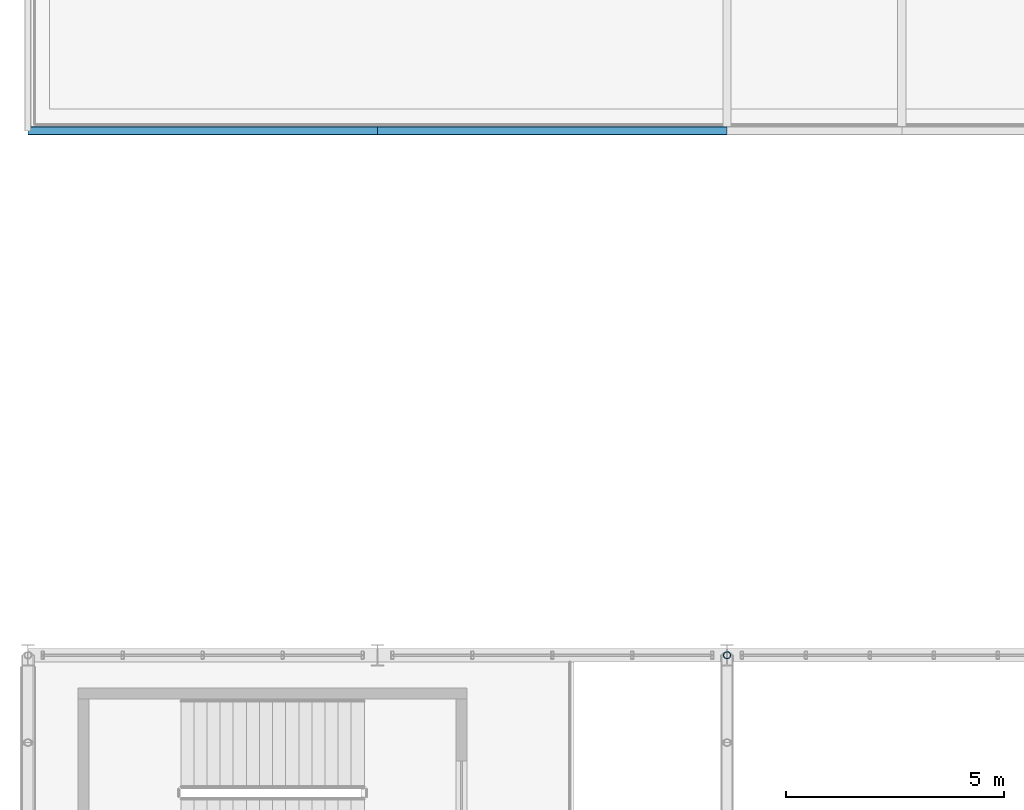
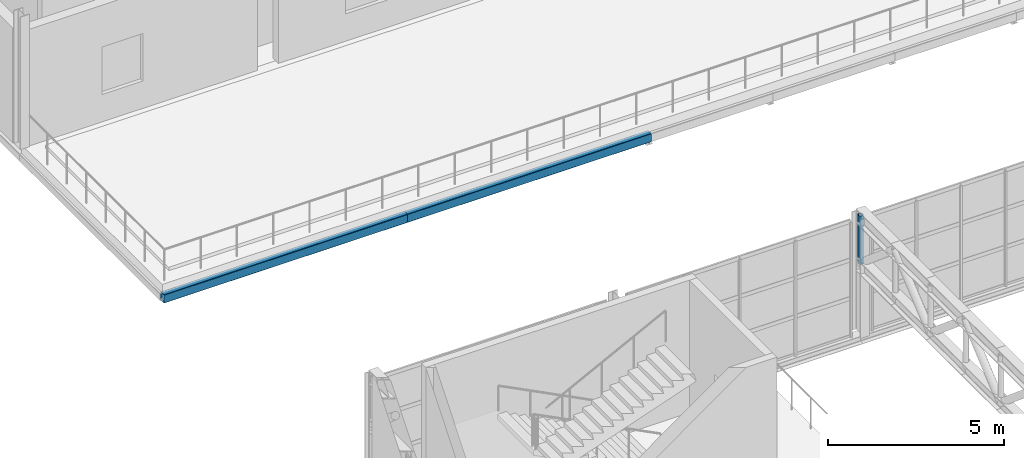
# One storey, part 30 of 67: 2 beams, 1 member.
"""IFC4 building model written with IfcOpenShell, lengths in metres."""

from ifc_helpers import new_model, si_unit, derived_unit, direction, frame, origin, origin_2d, place, context, subcontext, project, spatial, hollow_rectangle, hollow_circle, extrude, material, material_profile, profile_set, type_object, element, save


model = new_model("IFC4")

# Units and contexts
model_context = context("Model", 3, precision=1e-05, world=origin(), true_north=direction((0.0, 1.0)))
body_context = subcontext(model_context, "Body", "Model", "MODEL_VIEW")
ifc_project = project(units=[si_unit("LENGTHUNIT", "METRE"), si_unit("AREAUNIT", "SQUARE_METRE"), si_unit("VOLUMEUNIT", "CUBIC_METRE"), si_unit("PLANEANGLEUNIT", "RADIAN"), si_unit("MASSUNIT", "GRAM", prefix="KILO"), derived_unit("THERMALTRANSMITTANCEUNIT", [(si_unit("POWERUNIT", "WATT"), 1), (si_unit("LENGTHUNIT", "METRE"), -2), (si_unit("THERMODYNAMICTEMPERATUREUNIT", "KELVIN"), -1)])], contexts=[model_context])

# Site, building, storey
site_placement = place(None, origin())
site = spatial("IfcSite", under=ifc_project, at=site_placement, CompositionType="ELEMENT")
building_placement = place(site_placement, origin())
building = spatial("IfcBuilding", under=site, at=building_placement, Name="Keldorne Ridge Multi-Sports Centre", CompositionType="ELEMENT")
storey_placement = place(building_placement, frame((0.0, 0.0, 14.0)))
storey = spatial("IfcBuildingStorey", under=building, at=storey_placement, Name="L03", CompositionType="ELEMENT", Elevation=14.0)

# Beams
ifc_material = material(Name="Steel S355", Category="steel")
ifc_material_profile_1 = material_profile(ifc_material, hollow_rectangle(XDim=0.199951171875, YDim=0.300048828125, WallThickness=0.012451171875, InnerFilletRadius=0.012451171875, OuterFilletRadius=0.02490234375, at=origin_2d()), Name="RHS 300x200x12.5")
ifc_profile_set_1 = profile_set([ifc_material_profile_1], Name="Steel S355")
beam_type = type_object("IfcBeamType", Name="BM-SP-01", PredefinedType="SPANDREL", material=ifc_profile_set_1)
for number, where, z_axis, x_axis, name in (
    (1, (104.0, 66.0, -0.449951171875), (1.0, 0.0, 0.0), (0.0, 1.0, 0.0), "L03 primary beam 1.66"),
    (2, (112.0, 66.0, -0.449951171875), (1.0, 0.0, 0.0), (0.0, 1.0, 0.0), "L03 primary beam 2.66"),
):
    element("IfcBeam", number, at=place(storey_placement, frame(where, z_axis=z_axis, x_axis=x_axis)), inside=storey, type_object=beam_type, Name=name, PredefinedType="SPANDREL", context=body_context, shape_type="SweptSolid", body=[
        extrude(hollow_rectangle(XDim=0.199951171875, YDim=0.300048828125, WallThickness=0.012451171875, InnerFilletRadius=0.012451171875, OuterFilletRadius=0.02490234375, at=origin_2d()), origin(), (0.0, 0.0, 1.0), 8.0),
    ])

# Member
ifc_material_profile_2 = material_profile(ifc_material, hollow_circle(Radius=0.084228515625, WallThickness=0.010009765625, at=origin_2d()), Name="CHS 168.3x10")
ifc_profile_set_2 = profile_set([ifc_material_profile_2], Name="Steel S355")
member_type = type_object("IfcMemberType", Name="MEM-TV-01", PredefinedType="STRUT", material=ifc_profile_set_2)
member_placement = place(storey_placement, frame((120.0, 54.0, 2.429931640625), z_axis=(0.0, 0.0, 1.0), x_axis=(1.0, 0.0, 0.0)))
element("IfcMember", 3, at=member_placement, inside=storey, type_object=member_type, Name="Stacked Courts Warren TRUSS WT-L04-03 end post 24", PredefinedType="STRUT", context=body_context, shape_type="SweptSolid", body=[
    extrude(hollow_circle(Radius=0.084228515625, WallThickness=0.010009765625, at=origin_2d()), origin(), (0.0, 0.0, 1.0), 1.68017578125),
])

save(model, "model.ifc")
